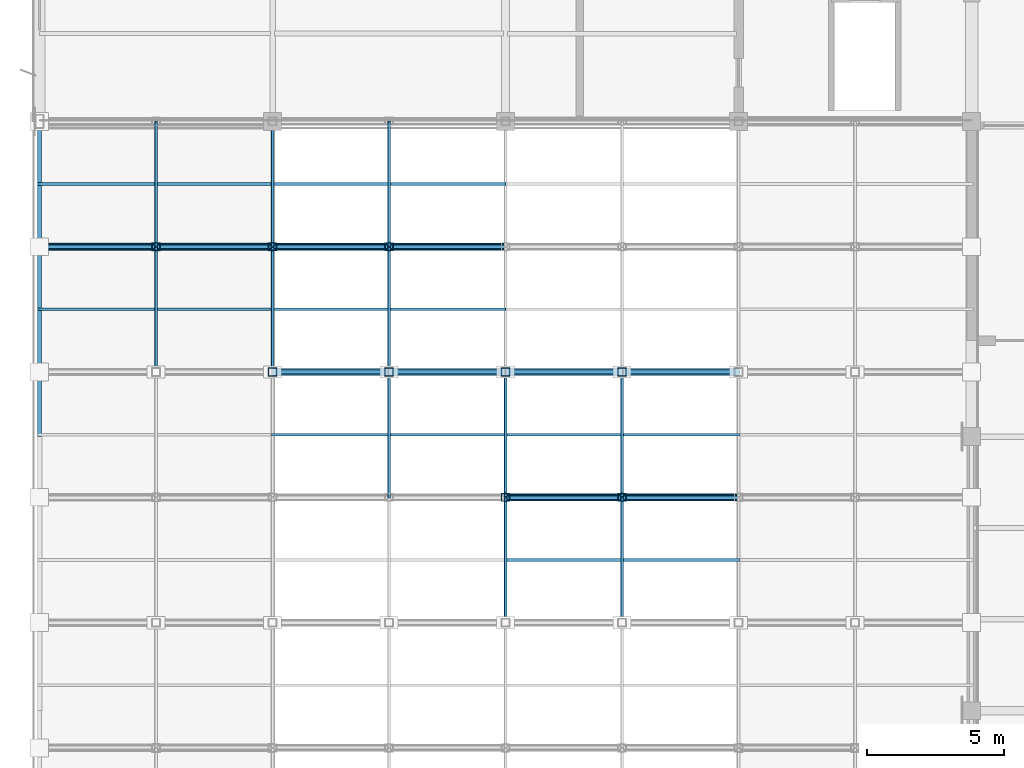
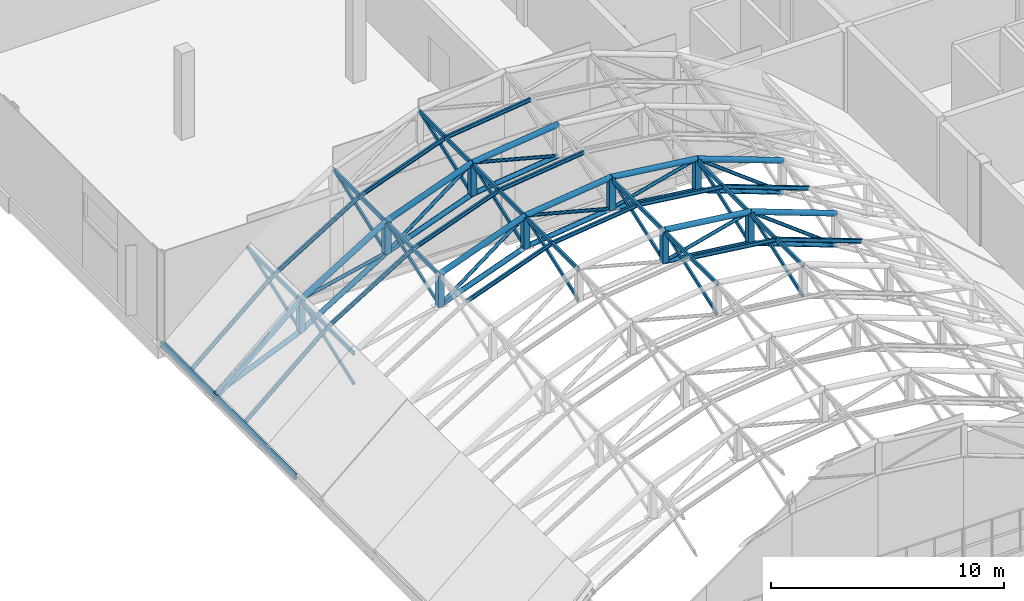
# One storey, part 15 of 86: 75 members, 1 beam.
"""IFC4 building model written with IfcOpenShell, lengths in metres."""

import ifcopenshell
import ifcopenshell.guid

model = None  # the IFC model being written
_history = None  # IfcOwnerHistory: only IFC2X3 demands one
_inside = {}  # id of a spatial element -> (the spatial element, [elements in it])
_under = {}  # id of a project, library or spatial element -> (it, [spatial elements below it])
_declared = {}  # id of a project -> (the project, [libraries it declares])
_typed = {}  # id of a type object -> (the type object, [elements of that type])
_made_of = {}  # id of a material, layer set ... -> (it, [elements and type objects made of it])


def new_model(schema):
    """Start an empty IFC model of exactly this schema.

    Asked for "IFC4X3", IfcOpenShell would pick the latest addendum, in which some entities
    have other attributes; the version numbers below select the first issue.
    IFC2X3 requires an IfcOwnerHistory on every rooted entity: one is made here for all.
    """
    global model, _history
    if schema == "IFC4X3":
        model = ifcopenshell.file(schema_version=(4, 3, 0, 0))
    else:
        model = ifcopenshell.file(schema=schema)
    _inside.clear()
    _under.clear()
    _declared.clear()
    _typed.clear()
    _made_of.clear()
    _history = None
    if model.schema == "IFC2X3":
        org = make("IfcOrganization", Name="unknown")
        user = make(
            "IfcPersonAndOrganization",
            ThePerson=make("IfcPerson", FamilyName="unknown"),
            TheOrganization=org,
        )
        app = make(
            "IfcApplication",
            ApplicationDeveloper=org,
            Version="unknown",
            ApplicationFullName="unknown",
            ApplicationIdentifier="unknown",
        )
        _history = make(
            "IfcOwnerHistory",
            OwningUser=user,
            OwningApplication=app,
            ChangeAction="ADDED",
            CreationDate=0,
        )
    return model


def make(cls, **values):
    """One entity of the class cls with the attributes given. An attribute that is None is left unset."""
    return model.create_entity(
        cls, **{name: value for name, value in values.items() if value is not None}
    )


def rooted(cls, **values):
    """An entity with a GlobalId (a new one), such as an element, a storey or a relation."""
    return make(cls, GlobalId=ifcopenshell.guid.new(), OwnerHistory=_history, **values)


def si_unit(unit_type, name, prefix=None):
    """IfcSIUnit, for example si_unit("LENGTHUNIT", "METRE", prefix="MILLI")."""
    return make("IfcSIUnit", UnitType=unit_type, Prefix=prefix, Name=name)


def assignment(units):
    """IfcUnitAssignment: the units of a project."""
    return None if units is None else make("IfcUnitAssignment", Units=units)


def point(xyz):
    """IfcCartesianPoint."""
    return None if xyz is None else make("IfcCartesianPoint", Coordinates=xyz)


def direction(xyz):
    """IfcDirection."""
    return None if xyz is None else make("IfcDirection", DirectionRatios=xyz)


def frame(location, z_axis=None, x_axis=None):
    """IfcAxis2Placement3D, a coordinate frame: its origin and axes. An axis left out is left unset."""
    return make(
        "IfcAxis2Placement3D",
        Location=point(location),
        Axis=direction(z_axis),
        RefDirection=direction(x_axis),
    )


def frame_2d(location, x_axis=None):
    """IfcAxis2Placement2D, a coordinate frame in the plane: its origin and x axis."""
    return make(
        "IfcAxis2Placement2D", Location=point(location), RefDirection=direction(x_axis)
    )


def origin():
    """The frame at (0, 0, 0) with its axes left unset."""
    return frame((0.0, 0.0, 0.0))


def origin_2d():
    """The frame at (0, 0) in the plane with its x axis left unset."""
    return frame_2d((0.0, 0.0))


def place(relative_to, where):
    """IfcLocalPlacement: puts the frame where relative to a parent placement (None: the world)."""
    return make(
        "IfcLocalPlacement", PlacementRelTo=relative_to, RelativePlacement=where
    )


def context(
    kind, dimensions, precision=None, world=None, true_north=None, identifier=None
):
    """IfcGeometricRepresentationContext, for example the 3D "Model" context."""
    return make(
        "IfcGeometricRepresentationContext",
        ContextIdentifier=identifier,
        ContextType=kind,
        CoordinateSpaceDimension=dimensions,
        Precision=precision,
        WorldCoordinateSystem=world,
        TrueNorth=true_north,
    )


def subcontext(parent, identifier, kind, view, scale=None):
    """IfcGeometricRepresentationSubContext, for example "Body" below "Model"."""
    return make(
        "IfcGeometricRepresentationSubContext",
        ContextIdentifier=identifier,
        ContextType=kind,
        ParentContext=parent,
        TargetScale=scale,
        TargetView=view,
    )


def project(units=None, contexts=None):
    """IfcProject with its units and contexts."""
    return rooted(
        "IfcProject",
        Name="project",
        RepresentationContexts=contexts,
        UnitsInContext=assignment(units),
    )


def spatial(cls, under=None, at=None, **own):
    """A site, building, storey or space (cls), placed at a placement, below another one or the project."""
    s = rooted(cls, ObjectPlacement=at, **own)
    if under is not None:
        _under.setdefault(under.id(), (under, []))[1].append(s)
    return s


def profile(cls, at=None, kind="AREA", **sizes):
    """A parametric profile (cls). Its sizes go by their IFC names, for example OverallWidth=200.0."""
    return make(cls, ProfileType=kind, Position=at, **sizes)


def hollow_rectangle(**sizes):
    """IfcRectangleHollowProfileDef."""
    return profile("IfcRectangleHollowProfileDef", **sizes)


def hollow_circle(**sizes):
    """IfcCircleHollowProfileDef."""
    return profile("IfcCircleHollowProfileDef", **sizes)


def i_section(**sizes):
    """IfcIShapeProfileDef."""
    return profile("IfcIShapeProfileDef", **sizes)


def extrude(swept, where, along, depth):
    """IfcExtrudedAreaSolid: the profile swept, set in the frame where, extruded along a direction by depth."""
    return make(
        "IfcExtrudedAreaSolid",
        SweptArea=swept,
        Position=where,
        ExtrudedDirection=direction(along),
        Depth=depth,
    )


def shape(context_of_items, identifier, shape_type, items):
    """IfcShapeRepresentation: the items that make up one representation, for example the "Body"."""
    return make(
        "IfcShapeRepresentation",
        ContextOfItems=context_of_items,
        RepresentationIdentifier=identifier,
        RepresentationType=shape_type,
        Items=items,
    )


def material(Name=None, Category=None):
    """IfcMaterial."""
    return make("IfcMaterial", Name=Name, Category=Category)


def material_profile(
    of_material, cross_section, Name=None, Category=None, Priority=None
):
    """IfcMaterialProfile: a cross section and its material."""
    return make(
        "IfcMaterialProfile",
        Name=Name,
        Material=of_material,
        Profile=cross_section,
        Priority=Priority,
        Category=Category,
    )


def profile_set(profiles, Name=None, composite=None):
    """IfcMaterialProfileSet."""
    return make(
        "IfcMaterialProfileSet",
        Name=Name,
        MaterialProfiles=profiles,
        CompositeProfile=composite,
    )


def made_of(thing, what):
    """Note that an element or type object is made of a material, layer set ...; save() writes the relation."""
    if what is not None:
        _made_of.setdefault(what.id(), (what, []))[1].append(thing)
    return thing


def type_object(cls, material=None, **own):
    """A type object (cls), such as IfcWallType, which elements share."""
    return made_of(rooted(cls, **own), material)


def element(
    cls,
    number,
    at=None,
    inside=None,
    cuts=None,
    type_object=None,
    material=None,
    context=None,
    identifier="Body",
    shape_type=None,
    held_by="IfcProductDefinitionShape",
    body=None,
    shapes=None,
    **own,
):
    """One element of the class cls, such as IfcWall. Its Tag is "e" and its number.

    at: its placement. inside: the storey or other place that contains it. cuts: it is an
    opening in that element (IfcRelVoidsElement). A single representation is given by context,
    identifier, shape_type and body (its items); several are given by shapes. held_by: the class
    of the entity that holds the representations. save() writes the other relations.
    """
    e = rooted(cls, Tag="e%d" % number, ObjectPlacement=at, **own)
    if body is not None:
        shapes = [shape(context, identifier, shape_type, body)]
    if shapes is not None:
        e.Representation = make(held_by, Representations=shapes)
    if inside is not None:
        _inside.setdefault(inside.id(), (inside, []))[1].append(e)
    if cuts is not None:
        rooted(
            "IfcRelVoidsElement", RelatingBuildingElement=cuts, RelatedOpeningElement=e
        )
    if type_object is not None:
        _typed.setdefault(type_object.id(), (type_object, []))[1].append(e)
    return made_of(e, material)


def aggregate(whole, parts):
    """IfcRelAggregates: a whole, such as a stair, and the parts it consists of."""
    return rooted("IfcRelAggregates", RelatingObject=whole, RelatedObjects=parts)


def save(model, path):
    """Write the relations noted so far, then the file.

    IfcRelAggregates (storeys below a building ...), IfcRelContainedInSpatialStructure (elements
    in a storey), IfcRelDefinesByType, IfcRelAssociatesMaterial and IfcRelDeclares: one each for
    every whole, place, type object, material and project.
    """
    for whole, parts in _under.values():
        aggregate(whole, parts)
    for where, things in _inside.values():
        rooted(
            "IfcRelContainedInSpatialStructure",
            RelatedElements=things,
            RelatingStructure=where,
        )
    for kind, things in _typed.values():
        rooted("IfcRelDefinesByType", RelatedObjects=things, RelatingType=kind)
    for what, things in _made_of.values():
        rooted("IfcRelAssociatesMaterial", RelatedObjects=things, RelatingMaterial=what)
    for by, libraries in _declared.values():
        rooted("IfcRelDeclares", RelatingContext=by, RelatedDefinitions=libraries)
    model.write(path)


model = new_model("IFC4")

# Units and contexts
model_context = context("Model", 3, precision=1e-05, world=origin(), true_north=direction((0.0, 1.0)))
body_context = subcontext(model_context, "Body", "Model", "MODEL_VIEW")
ifc_project = project(units=[si_unit("LENGTHUNIT", "METRE"), si_unit("AREAUNIT", "SQUARE_METRE"), si_unit("VOLUMEUNIT", "CUBIC_METRE"), si_unit("PLANEANGLEUNIT", "RADIAN"), si_unit("MASSUNIT", "GRAM", prefix="KILO")], contexts=[model_context])

# Site, building, storey
site_placement = place(None, origin())
site = spatial("IfcSite", under=ifc_project, at=site_placement, CompositionType="ELEMENT")
building_placement = place(site_placement, origin())
building = spatial("IfcBuilding", under=site, at=building_placement, Name="Solvikara Media Centre", CompositionType="ELEMENT")
storey_placement = place(building_placement, frame((0.0, 0.0, 15.0)))
storey = spatial("IfcBuildingStorey", under=building, at=storey_placement, Name="L03", CompositionType="ELEMENT", Elevation=15.0)

# Beam
ifc_material = material(Name="Steel S355JR", Category="steel")
ifc_material_profile_1 = material_profile(ifc_material, hollow_rectangle(XDim=0.139892578125, YDim=0.280029296875, WallThickness=0.008056640625, at=origin_2d()), Name="RHS 280x140x8")
ifc_profile_set_1 = profile_set([ifc_material_profile_1], Name="Steel S355JR")
beam_type = type_object("IfcBeamType", Name="BM-46", PredefinedType="SPANDREL", material=ifc_profile_set_1)
beam_placement = place(storey_placement, frame((0.0, 20.5, -0.239990234375), z_axis=(0.0, 1.0, 0.0), x_axis=(-1.0, 0.0, 0.0)))
element("IfcBeam", 1, at=beam_placement, inside=storey, type_object=beam_type, Name="B-L03-Y1224", PredefinedType="SPANDREL", context=body_context, shape_type="SweptSolid", body=[
    extrude(hollow_rectangle(XDim=0.139892578125, YDim=0.280029296875, WallThickness=0.008056640625, at=origin_2d()), origin(), (0.0, 0.0, 1.0), 11.5),
])

# Members
ifc_material_profile_2 = material_profile(ifc_material, hollow_circle(Radius=0.136474609375, WallThickness=0.010009765625, at=origin_2d()), Name="CHS 273x10")
ifc_profile_set_2 = profile_set([ifc_material_profile_2], Name="Steel S355JR")
member_type_1 = type_object("IfcMemberType", Name="MB-03", PredefinedType="CHORD", material=ifc_profile_set_2)
member_1_placement = place(storey_placement, frame((17.0, 18.285888671875, 8.10498046875), z_axis=(0.992459240716, 0.0, -0.122575101536), x_axis=(0.0, 1.0, 0.0)))
element("IfcMember", 2, at=member_1_placement, inside=storey, type_object=member_type_1, Name="Space Frame Vault Chord GC-TC-04-04", PredefinedType="CHORD", context=body_context, shape_type="SweptSolid", body=[
    extrude(hollow_circle(Radius=0.136474609375, WallThickness=0.010009765625, at=origin_2d()), origin(), (0.0, 0.0, 1.0), 4.2822265625),
])
for number, where, z_axis, x_axis, name in (
    (3, (21.25, 18.285888671875, 7.580078125), (0.937668166589, 0.0, -0.347531882516), (0.0, 1.0, 0.0), "Space Frame Vault Chord GC-TC-04-05"),
    (4, (8.5, 22.85693359375, 6.0048828125), (0.937668166589, 0.0, 0.347531882516), (0.0, 1.0, 0.0), "Space Frame Vault Chord GC-TC-05-02"),
):
    element("IfcMember", number, at=place(storey_placement, frame(where, z_axis=z_axis, x_axis=x_axis)), inside=storey, type_object=member_type_1, Name=name, PredefinedType="CHORD", context=body_context, shape_type="SweptSolid", body=[
        extrude(hollow_circle(Radius=0.136474609375, WallThickness=0.010009765625, at=origin_2d()), origin(), (0.0, 0.0, 1.0), 4.532470703125),
    ])
for number, where, z_axis, x_axis, name in (
    (5, (12.75, 22.85693359375, 7.580078125), (0.992459240716, 0.0, 0.122575101536), (0.0, 1.0, 0.0), "Space Frame Vault Chord GC-TC-05-03"),
    (6, (17.0, 22.85693359375, 8.10498046875), (0.992459240716, 0.0, -0.122575101536), (0.0, 1.0, 0.0), "Space Frame Vault Chord GC-TC-05-04"),
):
    element("IfcMember", number, at=place(storey_placement, frame(where, z_axis=z_axis, x_axis=x_axis)), inside=storey, type_object=member_type_1, Name=name, PredefinedType="CHORD", context=body_context, shape_type="SweptSolid", body=[
        extrude(hollow_circle(Radius=0.136474609375, WallThickness=0.010009765625, at=origin_2d()), origin(), (0.0, 0.0, 1.0), 4.2822265625),
    ])
member_2_placement = place(storey_placement, frame((21.25, 22.85693359375, 7.580078125), z_axis=(0.937668166589, 0.0, -0.347531882516), x_axis=(0.0, 1.0, 0.0)))
element("IfcMember", 7, at=member_2_placement, inside=storey, type_object=member_type_1, Name="Space Frame Vault Chord GC-TC-05-05", PredefinedType="CHORD", context=body_context, shape_type="SweptSolid", body=[
    extrude(hollow_circle(Radius=0.136474609375, WallThickness=0.010009765625, at=origin_2d()), origin(), (0.0, 0.0, 1.0), 4.532470703125),
])
member_3_placement = place(storey_placement, frame((0.0, 27.428955078125, -0.294921875), z_axis=(0.756439869263, 0.0, 0.654063241736), x_axis=(0.0, 1.0, 0.0)))
element("IfcMember", 8, at=member_3_placement, inside=storey, type_object=member_type_1, Name="Space Frame Vault Chord GC-TC-06-00", PredefinedType="CHORD", context=body_context, shape_type="SweptSolid", body=[
    extrude(hollow_circle(Radius=0.136474609375, WallThickness=0.010009765625, at=origin_2d()), origin(), (0.0, 0.0, 1.0), 5.618408203125),
])
member_4_placement = place(storey_placement, frame((4.25, 27.428955078125, 3.3798828125), z_axis=(0.850797997359, 0.0, 0.525492880722), x_axis=(0.0, 1.0, 0.0)))
element("IfcMember", 9, at=member_4_placement, inside=storey, type_object=member_type_1, Name="Space Frame Vault Chord GC-TC-06-01", PredefinedType="CHORD", context=body_context, shape_type="SweptSolid", body=[
    extrude(hollow_circle(Radius=0.136474609375, WallThickness=0.010009765625, at=origin_2d()), origin(), (0.0, 0.0, 1.0), 4.995361328125),
])
member_5_placement = place(storey_placement, frame((8.5, 27.428955078125, 6.0048828125), z_axis=(0.937668166589, 0.0, 0.347531882516), x_axis=(0.0, 1.0, 0.0)))
element("IfcMember", 10, at=member_5_placement, inside=storey, type_object=member_type_1, Name="Space Frame Vault Chord GC-TC-06-02", PredefinedType="CHORD", context=body_context, shape_type="SweptSolid", body=[
    extrude(hollow_circle(Radius=0.136474609375, WallThickness=0.010009765625, at=origin_2d()), origin(), (0.0, 0.0, 1.0), 4.532470703125),
])
member_6_placement = place(storey_placement, frame((12.75, 27.428955078125, 7.580078125), z_axis=(0.992459240716, 0.0, 0.122575101536), x_axis=(0.0, 1.0, 0.0)))
element("IfcMember", 11, at=member_6_placement, inside=storey, type_object=member_type_1, Name="Space Frame Vault Chord GC-TC-06-03", PredefinedType="CHORD", context=body_context, shape_type="SweptSolid", body=[
    extrude(hollow_circle(Radius=0.136474609375, WallThickness=0.010009765625, at=origin_2d()), origin(), (0.0, 0.0, 1.0), 4.2822265625),
])
ifc_material_profile_3 = material_profile(ifc_material, hollow_circle(Radius=0.122314453125, WallThickness=0.010009765625, at=origin_2d()), Name="CHS 244.5x10")
ifc_profile_set_3 = profile_set([ifc_material_profile_3], Name="Steel S355JR")
member_type_2 = type_object("IfcMemberType", Name="MB-04", PredefinedType="CHORD", material=ifc_profile_set_3)
member_7_placement = place(storey_placement, frame((17.0, 18.285888671875, 6.455078125), z_axis=(0.992452303661, 0.0, -0.122631256042), x_axis=(0.0, 1.0, 0.0)))
element("IfcMember", 12, at=member_7_placement, inside=storey, type_object=member_type_2, Name="GC-BC-04-04", PredefinedType="CHORD", context=body_context, shape_type="SweptSolid", body=[
    extrude(hollow_circle(Radius=0.122314453125, WallThickness=0.010009765625, at=origin_2d()), origin(), (0.0, 0.0, 1.0), 4.2822265625),
])
for number, where, z_axis, x_axis, name in (
    (13, (21.25, 18.285888671875, 5.929931640625), (0.93768571843, 0.0, -0.34748452261), (0.0, 1.0, 0.0), "GC-BC-04-05"),
    (14, (8.5, 22.85693359375, 4.35498046875), (0.93768571843, 0.0, 0.34748452261), (0.0, 1.0, 0.0), "GC-BC-05-02"),
):
    element("IfcMember", number, at=place(storey_placement, frame(where, z_axis=z_axis, x_axis=x_axis)), inside=storey, type_object=member_type_2, Name=name, PredefinedType="CHORD", context=body_context, shape_type="SweptSolid", body=[
        extrude(hollow_circle(Radius=0.122314453125, WallThickness=0.010009765625, at=origin_2d()), origin(), (0.0, 0.0, 1.0), 4.532470703125),
    ])
for number, where, z_axis, x_axis, name in (
    (15, (12.75, 22.85693359375, 5.929931640625), (0.992452303661, 0.0, 0.122631256042), (0.0, 1.0, 0.0), "GC-BC-05-03"),
    (16, (17.0, 22.85693359375, 6.455078125), (0.992452303661, 0.0, -0.122631256042), (0.0, 1.0, 0.0), "GC-BC-05-04"),
):
    element("IfcMember", number, at=place(storey_placement, frame(where, z_axis=z_axis, x_axis=x_axis)), inside=storey, type_object=member_type_2, Name=name, PredefinedType="CHORD", context=body_context, shape_type="SweptSolid", body=[
        extrude(hollow_circle(Radius=0.122314453125, WallThickness=0.010009765625, at=origin_2d()), origin(), (0.0, 0.0, 1.0), 4.2822265625),
    ])
member_8_placement = place(storey_placement, frame((21.25, 22.85693359375, 5.929931640625), z_axis=(0.93768571843, 0.0, -0.34748452261), x_axis=(0.0, 1.0, 0.0)))
element("IfcMember", 17, at=member_8_placement, inside=storey, type_object=member_type_2, Name="GC-BC-05-05", PredefinedType="CHORD", context=body_context, shape_type="SweptSolid", body=[
    extrude(hollow_circle(Radius=0.122314453125, WallThickness=0.010009765625, at=origin_2d()), origin(), (0.0, 0.0, 1.0), 4.532470703125),
])
member_9_placement = place(storey_placement, frame((0.0, 27.428955078125, -0.10009765625), z_axis=(0.918466874624, 0.0, 0.395497914303), x_axis=(0.0, 1.0, 0.0)))
element("IfcMember", 18, at=member_9_placement, inside=storey, type_object=member_type_2, Name="GC-BC-06-00", PredefinedType="CHORD", context=body_context, shape_type="SweptSolid", body=[
    extrude(hollow_circle(Radius=0.122314453125, WallThickness=0.010009765625, at=origin_2d()), origin(), (0.0, 0.0, 1.0), 4.627197265625),
])
member_10_placement = place(storey_placement, frame((4.25, 27.428955078125, 1.72998046875), z_axis=(0.850797997359, 0.0, 0.525492880722), x_axis=(0.0, 1.0, 0.0)))
element("IfcMember", 19, at=member_10_placement, inside=storey, type_object=member_type_2, Name="GC-BC-06-01", PredefinedType="CHORD", context=body_context, shape_type="SweptSolid", body=[
    extrude(hollow_circle(Radius=0.122314453125, WallThickness=0.010009765625, at=origin_2d()), origin(), (0.0, 0.0, 1.0), 4.995361328125),
])
member_11_placement = place(storey_placement, frame((8.5, 27.428955078125, 4.35498046875), z_axis=(0.93768571843, 0.0, 0.34748452261), x_axis=(0.0, 1.0, 0.0)))
element("IfcMember", 20, at=member_11_placement, inside=storey, type_object=member_type_2, Name="GC-BC-06-02", PredefinedType="CHORD", context=body_context, shape_type="SweptSolid", body=[
    extrude(hollow_circle(Radius=0.122314453125, WallThickness=0.010009765625, at=origin_2d()), origin(), (0.0, 0.0, 1.0), 4.532470703125),
])
member_12_placement = place(storey_placement, frame((12.75, 27.428955078125, 5.929931640625), z_axis=(0.992452303661, 0.0, 0.122631256042), x_axis=(0.0, 1.0, 0.0)))
element("IfcMember", 21, at=member_12_placement, inside=storey, type_object=member_type_2, Name="GC-BC-06-03", PredefinedType="CHORD", context=body_context, shape_type="SweptSolid", body=[
    extrude(hollow_circle(Radius=0.122314453125, WallThickness=0.010009765625, at=origin_2d()), origin(), (0.0, 0.0, 1.0), 4.2822265625),
])
ifc_material_profile_4 = material_profile(ifc_material, hollow_circle(Radius=0.084228515625, WallThickness=0.007080078125, at=origin_2d()), Name="CHS 168.3x7.1")
ifc_profile_set_4 = profile_set([ifc_material_profile_4], Name="Steel S355JR")
member_type_3 = type_object("IfcMemberType", Name="MB-07", PredefinedType="BRACE", material=ifc_profile_set_4)
member_13_placement = place(storey_placement, frame((17.0, 18.285888671875, 6.455078125), z_axis=(0.966705227862, 0.0, 0.255892560316), x_axis=(0.0, 1.0, 0.0)))
element("IfcMember", 22, at=member_13_placement, inside=storey, type_object=member_type_3, Name="GC-DG-04-04", PredefinedType="BRACE", context=body_context, shape_type="SweptSolid", body=[
    extrude(hollow_circle(Radius=0.084228515625, WallThickness=0.007080078125, at=origin_2d()), origin(), (0.0, 0.0, 1.0), 4.396484375),
])
for number, where, z_axis, x_axis, name in (
    (23, (21.25, 18.285888671875, 7.580078125), (0.796604645228, 0.0, -0.604500652772), (0.0, 1.0, 0.0), "GC-DG-04-05"),
    (24, (8.5, 22.85693359375, 4.35498046875), (0.796604645228, 0.0, 0.604500652772), (0.0, 1.0, 0.0), "GC-DG-05-02"),
):
    element("IfcMember", number, at=place(storey_placement, frame(where, z_axis=z_axis, x_axis=x_axis)), inside=storey, type_object=member_type_3, Name=name, PredefinedType="BRACE", context=body_context, shape_type="SweptSolid", body=[
        extrude(hollow_circle(Radius=0.084228515625, WallThickness=0.007080078125, at=origin_2d()), origin(), (0.0, 0.0, 1.0), 5.335205078125),
    ])
for number, where, z_axis, x_axis, name in (
    (25, (12.75, 22.85693359375, 7.580078125), (0.966705227862, 0.0, -0.255892560316), (0.0, 1.0, 0.0), "GC-DG-05-03"),
    (26, (17.0, 22.85693359375, 6.455078125), (0.966705227862, 0.0, 0.255892560316), (0.0, 1.0, 0.0), "GC-DG-05-04"),
):
    element("IfcMember", number, at=place(storey_placement, frame(where, z_axis=z_axis, x_axis=x_axis)), inside=storey, type_object=member_type_3, Name=name, PredefinedType="BRACE", context=body_context, shape_type="SweptSolid", body=[
        extrude(hollow_circle(Radius=0.084228515625, WallThickness=0.007080078125, at=origin_2d()), origin(), (0.0, 0.0, 1.0), 4.396484375),
    ])
member_14_placement = place(storey_placement, frame((21.25, 22.85693359375, 7.580078125), z_axis=(0.796604645228, 0.0, -0.604500652772), x_axis=(0.0, 1.0, 0.0)))
element("IfcMember", 27, at=member_14_placement, inside=storey, type_object=member_type_3, Name="GC-DG-05-05", PredefinedType="BRACE", context=body_context, shape_type="SweptSolid", body=[
    extrude(hollow_circle(Radius=0.084228515625, WallThickness=0.007080078125, at=origin_2d()), origin(), (0.0, 0.0, 1.0), 5.335205078125),
])
member_15_placement = place(storey_placement, frame((0.0, 27.428955078125, -0.10009765625), z_axis=(0.773715650361, 0.0, 0.633533023911), x_axis=(0.0, 1.0, 0.0)))
element("IfcMember", 28, at=member_15_placement, inside=storey, type_object=member_type_3, Name="GC-DG-06-00", PredefinedType="BRACE", context=body_context, shape_type="SweptSolid", body=[
    extrude(hollow_circle(Radius=0.084228515625, WallThickness=0.007080078125, at=origin_2d()), origin(), (0.0, 0.0, 1.0), 5.492919921875),
])
member_16_placement = place(storey_placement, frame((4.25, 27.428955078125, 3.3798828125), z_axis=(0.974675396372, 0.0, 0.223624398731), x_axis=(0.0, 1.0, 0.0)))
element("IfcMember", 29, at=member_16_placement, inside=storey, type_object=member_type_3, Name="GC-DG-06-01", PredefinedType="BRACE", context=body_context, shape_type="SweptSolid", body=[
    extrude(hollow_circle(Radius=0.084228515625, WallThickness=0.007080078125, at=origin_2d()), origin(), (0.0, 0.0, 1.0), 4.3603515625),
])
member_17_placement = place(storey_placement, frame((8.5, 27.428955078125, 4.35498046875), z_axis=(0.796604645228, 0.0, 0.604500652772), x_axis=(0.0, 1.0, 0.0)))
element("IfcMember", 30, at=member_17_placement, inside=storey, type_object=member_type_3, Name="GC-DG-06-02", PredefinedType="BRACE", context=body_context, shape_type="SweptSolid", body=[
    extrude(hollow_circle(Radius=0.084228515625, WallThickness=0.007080078125, at=origin_2d()), origin(), (0.0, 0.0, 1.0), 5.335205078125),
])
member_18_placement = place(storey_placement, frame((12.75, 27.428955078125, 7.580078125), z_axis=(0.966705227862, 0.0, -0.255892560316), x_axis=(0.0, 1.0, 0.0)))
element("IfcMember", 31, at=member_18_placement, inside=storey, type_object=member_type_3, Name="GC-DG-06-03", PredefinedType="BRACE", context=body_context, shape_type="SweptSolid", body=[
    extrude(hollow_circle(Radius=0.084228515625, WallThickness=0.007080078125, at=origin_2d()), origin(), (0.0, 0.0, 1.0), 4.396484375),
])
ifc_material_profile_5 = material_profile(ifc_material, hollow_rectangle(XDim=0.300048828125, YDim=0.300048828125, WallThickness=0.012451171875, at=origin_2d()), Name="RHS 300x300x12.5")
ifc_profile_set_5 = profile_set([ifc_material_profile_5], Name="Steel S355JR")
member_type_4 = type_object("IfcMemberType", Name="MB-11", PredefinedType="CHORD", material=ifc_profile_set_5)
member_19_placement = place(storey_placement, frame((17.0, 18.285888671875, 6.455078125), z_axis=(0.0, 0.0, 1.0), x_axis=(1.0, 0.0, 0.0)))
element("IfcMember", 32, at=member_19_placement, inside=storey, type_object=member_type_4, Name="GC-VT-04-04", PredefinedType="CHORD", context=body_context, shape_type="SweptSolid", body=[
    extrude(hollow_rectangle(XDim=0.300048828125, YDim=0.300048828125, WallThickness=0.012451171875, at=origin_2d()), origin(), (0.0, 0.0, 1.0), 1.64990234375),
])
member_20_placement = place(storey_placement, frame((21.25, 18.285888671875, 5.929931640625), z_axis=(0.0, 0.0, 1.0), x_axis=(1.0, 0.0, 0.0)))
element("IfcMember", 33, at=member_20_placement, inside=storey, type_object=member_type_4, Name="GC-VT-04-05", PredefinedType="CHORD", context=body_context, shape_type="SweptSolid", body=[
    extrude(hollow_rectangle(XDim=0.300048828125, YDim=0.300048828125, WallThickness=0.012451171875, at=origin_2d()), origin(), (0.0, 0.0, 1.0), 1.650146484375),
])
member_21_placement = place(storey_placement, frame((8.5, 22.85693359375, 4.35498046875), z_axis=(0.0, 0.0, 1.0), x_axis=(1.0, 0.0, 0.0)))
element("IfcMember", 34, at=member_21_placement, inside=storey, type_object=member_type_4, Name="GC-VT-05-02", PredefinedType="CHORD", context=body_context, shape_type="SweptSolid", body=[
    extrude(hollow_rectangle(XDim=0.300048828125, YDim=0.300048828125, WallThickness=0.012451171875, at=origin_2d()), origin(), (0.0, 0.0, 1.0), 1.64990234375),
])
member_22_placement = place(storey_placement, frame((12.75, 22.85693359375, 5.929931640625), z_axis=(0.0, 0.0, 1.0), x_axis=(1.0, 0.0, 0.0)))
element("IfcMember", 35, at=member_22_placement, inside=storey, type_object=member_type_4, Name="GC-VT-05-03", PredefinedType="CHORD", context=body_context, shape_type="SweptSolid", body=[
    extrude(hollow_rectangle(XDim=0.300048828125, YDim=0.300048828125, WallThickness=0.012451171875, at=origin_2d()), origin(), (0.0, 0.0, 1.0), 1.650146484375),
])
member_23_placement = place(storey_placement, frame((17.0, 22.85693359375, 6.455078125), z_axis=(0.0, 0.0, 1.0), x_axis=(1.0, 0.0, 0.0)))
element("IfcMember", 36, at=member_23_placement, inside=storey, type_object=member_type_4, Name="GC-VT-05-04", PredefinedType="CHORD", context=body_context, shape_type="SweptSolid", body=[
    extrude(hollow_rectangle(XDim=0.300048828125, YDim=0.300048828125, WallThickness=0.012451171875, at=origin_2d()), origin(), (0.0, 0.0, 1.0), 1.64990234375),
])
member_24_placement = place(storey_placement, frame((21.25, 22.85693359375, 5.929931640625), z_axis=(0.0, 0.0, 1.0), x_axis=(1.0, 0.0, 0.0)))
element("IfcMember", 37, at=member_24_placement, inside=storey, type_object=member_type_4, Name="GC-VT-05-05", PredefinedType="CHORD", context=body_context, shape_type="SweptSolid", body=[
    extrude(hollow_rectangle(XDim=0.300048828125, YDim=0.300048828125, WallThickness=0.012451171875, at=origin_2d()), origin(), (0.0, 0.0, 1.0), 1.650146484375),
])
for number, where, z_axis, x_axis, name in (
    (38, (4.25, 27.428955078125, 1.72998046875), (0.0, 0.0, 1.0), (1.0, 0.0, 0.0), "GC-VT-06-01"),
    (39, (8.5, 27.428955078125, 4.35498046875), (0.0, 0.0, 1.0), (1.0, 0.0, 0.0), "GC-VT-06-02"),
):
    element("IfcMember", number, at=place(storey_placement, frame(where, z_axis=z_axis, x_axis=x_axis)), inside=storey, type_object=member_type_4, Name=name, PredefinedType="CHORD", context=body_context, shape_type="SweptSolid", body=[
        extrude(hollow_rectangle(XDim=0.300048828125, YDim=0.300048828125, WallThickness=0.012451171875, at=origin_2d()), origin(), (0.0, 0.0, 1.0), 1.64990234375),
    ])
member_25_placement = place(storey_placement, frame((12.75, 27.428955078125, 5.929931640625), z_axis=(0.0, 0.0, 1.0), x_axis=(1.0, 0.0, 0.0)))
element("IfcMember", 40, at=member_25_placement, inside=storey, type_object=member_type_4, Name="GC-VT-06-03", PredefinedType="CHORD", context=body_context, shape_type="SweptSolid", body=[
    extrude(hollow_rectangle(XDim=0.300048828125, YDim=0.300048828125, WallThickness=0.012451171875, at=origin_2d()), origin(), (0.0, 0.0, 1.0), 1.650146484375),
])
ifc_material_profile_6 = material_profile(ifc_material, hollow_rectangle(XDim=0.10009765625, YDim=0.199951171875, WallThickness=0.00634765625, at=origin_2d()), Name="RHS 200x100x6.3")
ifc_profile_set_6 = profile_set([ifc_material_profile_6], Name="Steel S355JR")
member_type_5 = type_object("IfcMemberType", Name="MB-17", PredefinedType="PURLIN", material=ifc_profile_set_6)
for number, where, z_axis, x_axis, name in (
    (41, (17.0, 13.714111328125, 8.0400390625), (0.0, 1.0, 0.0), (-1.0, 0.0, 0.0), "GC-PRL-03-04"),
    (42, (21.25, 13.714111328125, 7.514892578125), (0.0, 1.0, 0.0), (-1.0, 0.0, 0.0), "GC-PRL-03-05"),
):
    element("IfcMember", number, at=place(storey_placement, frame(where, z_axis=z_axis, x_axis=x_axis)), inside=storey, type_object=member_type_5, Name=name, PredefinedType="PURLIN", context=body_context, shape_type="SweptSolid", body=[
        extrude(hollow_rectangle(XDim=0.10009765625, YDim=0.199951171875, WallThickness=0.00634765625, at=origin_2d()), origin(), (0.0, 0.0, 1.0), 4.57177734375),
    ])
for number, where, z_axis, x_axis, name in (
    (43, (12.75, 18.285888671875, 7.514892578125), (0.0, 1.0, 0.0), (-1.0, 0.0, 0.0), "GC-PRL-04-03"),
    (44, (17.0, 18.285888671875, 8.0400390625), (0.0, 1.0, 0.0), (-1.0, 0.0, 0.0), "GC-PRL-04-04"),
    (45, (21.25, 18.285888671875, 7.514892578125), (0.0, 1.0, 0.0), (-1.0, 0.0, 0.0), "GC-PRL-04-05"),
):
    element("IfcMember", number, at=place(storey_placement, frame(where, z_axis=z_axis, x_axis=x_axis)), inside=storey, type_object=member_type_5, Name=name, PredefinedType="PURLIN", context=body_context, shape_type="SweptSolid", body=[
        extrude(hollow_rectangle(XDim=0.10009765625, YDim=0.199951171875, WallThickness=0.00634765625, at=origin_2d()), origin(), (0.0, 0.0, 1.0), 4.571044921875),
    ])
for number, where, z_axis, x_axis, name in (
    (46, (4.25, 22.85693359375, 3.31494140625), (0.0, 1.0, 0.0), (-1.0, 0.0, 0.0), "GC-PRL-05-01"),
    (47, (8.5, 22.85693359375, 5.93994140625), (0.0, 1.0, 0.0), (-1.0, 0.0, 0.0), "GC-PRL-05-02"),
    (48, (12.75, 22.85693359375, 7.514892578125), (0.0, 1.0, 0.0), (-1.0, 0.0, 0.0), "GC-PRL-05-03"),
):
    element("IfcMember", number, at=place(storey_placement, frame(where, z_axis=z_axis, x_axis=x_axis)), inside=storey, type_object=member_type_5, Name=name, PredefinedType="PURLIN", context=body_context, shape_type="SweptSolid", body=[
        extrude(hollow_rectangle(XDim=0.10009765625, YDim=0.199951171875, WallThickness=0.00634765625, at=origin_2d()), origin(), (0.0, 0.0, 1.0), 4.572021484375),
    ])
for number, where, z_axis, x_axis, name in (
    (49, (4.25, 27.428955078125, 3.31494140625), (0.0, 1.0, 0.0), (-1.0, 0.0, 0.0), "GC-PRL-06-01"),
    (50, (8.5, 27.428955078125, 5.93994140625), (0.0, 1.0, 0.0), (-1.0, 0.0, 0.0), "GC-PRL-06-02"),
    (51, (12.75, 27.428955078125, 7.514892578125), (0.0, 1.0, 0.0), (-1.0, 0.0, 0.0), "GC-PRL-06-03"),
):
    element("IfcMember", number, at=place(storey_placement, frame(where, z_axis=z_axis, x_axis=x_axis)), inside=storey, type_object=member_type_5, Name=name, PredefinedType="PURLIN", context=body_context, shape_type="SweptSolid", body=[
        extrude(hollow_rectangle(XDim=0.10009765625, YDim=0.199951171875, WallThickness=0.00634765625, at=origin_2d()), origin(), (0.0, 0.0, 1.0), 4.571044921875),
    ])
ifc_material_profile_7 = material_profile(ifc_material, i_section(OverallWidth=0.10009765625, OverallDepth=0.199951171875, WebThickness=0.005615234375, FlangeThickness=0.008056640625, at=origin_2d()), Name="WF 200x100x5.5x8")
ifc_profile_set_7 = profile_set([ifc_material_profile_7], Name="Steel S355JR")
member_type_6 = type_object("IfcMemberType", Name="MB-21", PredefinedType="PURLIN", material=ifc_profile_set_7)
member_26_placement = place(storey_placement, frame((17.0, 16.0, 8.0400390625), z_axis=(0.992452303661, 0.0, -0.122631256042), x_axis=(0.0, 1.0, 0.0)))
element("IfcMember", 52, at=member_26_placement, inside=storey, type_object=member_type_6, Name="GC-SUB-03-04", PredefinedType="PURLIN", context=body_context, shape_type="SweptSolid", body=[
    extrude(i_section(OverallWidth=0.10009765625, OverallDepth=0.199951171875, WebThickness=0.005615234375, FlangeThickness=0.008056640625, at=origin_2d()), origin(), (0.0, 0.0, 1.0), 4.2822265625),
])
for number, where, z_axis, x_axis, name in (
    (53, (21.25, 16.0, 7.514892578125), (0.93768571843, 0.0, -0.34748452261), (0.0, 1.0, 0.0), "GC-SUB-03-05"),
    (54, (8.5, 20.572021484375, 5.93994140625), (0.93768571843, 0.0, 0.34748452261), (0.0, 1.0, 0.0), "GC-SUB-04-02"),
):
    element("IfcMember", number, at=place(storey_placement, frame(where, z_axis=z_axis, x_axis=x_axis)), inside=storey, type_object=member_type_6, Name=name, PredefinedType="PURLIN", context=body_context, shape_type="SweptSolid", body=[
        extrude(i_section(OverallWidth=0.10009765625, OverallDepth=0.199951171875, WebThickness=0.005615234375, FlangeThickness=0.008056640625, at=origin_2d()), origin(), (0.0, 0.0, 1.0), 4.532470703125),
    ])
for number, where, z_axis, x_axis, name in (
    (55, (12.75, 20.572021484375, 7.514892578125), (0.992452303661, 0.0, 0.122631256042), (0.0, 1.0, 0.0), "GC-SUB-04-03"),
    (56, (17.0, 20.572021484375, 8.0400390625), (0.992452303661, 0.0, -0.122631256042), (0.0, 1.0, 0.0), "GC-SUB-04-04"),
):
    element("IfcMember", number, at=place(storey_placement, frame(where, z_axis=z_axis, x_axis=x_axis)), inside=storey, type_object=member_type_6, Name=name, PredefinedType="PURLIN", context=body_context, shape_type="SweptSolid", body=[
        extrude(i_section(OverallWidth=0.10009765625, OverallDepth=0.199951171875, WebThickness=0.005615234375, FlangeThickness=0.008056640625, at=origin_2d()), origin(), (0.0, 0.0, 1.0), 4.2822265625),
    ])
member_27_placement = place(storey_placement, frame((21.25, 20.572021484375, 7.514892578125), z_axis=(0.93768571843, 0.0, -0.34748452261), x_axis=(0.0, 1.0, 0.0)))
element("IfcMember", 57, at=member_27_placement, inside=storey, type_object=member_type_6, Name="GC-SUB-04-05", PredefinedType="PURLIN", context=body_context, shape_type="SweptSolid", body=[
    extrude(i_section(OverallWidth=0.10009765625, OverallDepth=0.199951171875, WebThickness=0.005615234375, FlangeThickness=0.008056640625, at=origin_2d()), origin(), (0.0, 0.0, 1.0), 4.532470703125),
])
member_28_placement = place(storey_placement, frame((0.0, 25.14306640625, -0.360107421875), z_axis=(0.756418370394, 0.0, 0.654088104868), x_axis=(0.0, 1.0, 0.0)))
element("IfcMember", 58, at=member_28_placement, inside=storey, type_object=member_type_6, Name="GC-SUB-05-00", PredefinedType="PURLIN", context=body_context, shape_type="SweptSolid", body=[
    extrude(i_section(OverallWidth=0.10009765625, OverallDepth=0.199951171875, WebThickness=0.005615234375, FlangeThickness=0.008056640625, at=origin_2d()), origin(), (0.0, 0.0, 1.0), 5.61865234375),
])
member_29_placement = place(storey_placement, frame((4.25, 25.14306640625, 3.31494140625), z_axis=(0.850797997359, 0.0, 0.525492880722), x_axis=(0.0, 1.0, 0.0)))
element("IfcMember", 59, at=member_29_placement, inside=storey, type_object=member_type_6, Name="GC-SUB-05-01", PredefinedType="PURLIN", context=body_context, shape_type="SweptSolid", body=[
    extrude(i_section(OverallWidth=0.10009765625, OverallDepth=0.199951171875, WebThickness=0.005615234375, FlangeThickness=0.008056640625, at=origin_2d()), origin(), (0.0, 0.0, 1.0), 4.995361328125),
])
member_30_placement = place(storey_placement, frame((8.5, 25.14306640625, 5.93994140625), z_axis=(0.93768571843, 0.0, 0.34748452261), x_axis=(0.0, 1.0, 0.0)))
element("IfcMember", 60, at=member_30_placement, inside=storey, type_object=member_type_6, Name="GC-SUB-05-02", PredefinedType="PURLIN", context=body_context, shape_type="SweptSolid", body=[
    extrude(i_section(OverallWidth=0.10009765625, OverallDepth=0.199951171875, WebThickness=0.005615234375, FlangeThickness=0.008056640625, at=origin_2d()), origin(), (0.0, 0.0, 1.0), 4.532470703125),
])
member_31_placement = place(storey_placement, frame((12.75, 25.14306640625, 7.514892578125), z_axis=(0.992452303661, 0.0, 0.122631256042), x_axis=(0.0, 1.0, 0.0)))
element("IfcMember", 61, at=member_31_placement, inside=storey, type_object=member_type_6, Name="GC-SUB-05-03", PredefinedType="PURLIN", context=body_context, shape_type="SweptSolid", body=[
    extrude(i_section(OverallWidth=0.10009765625, OverallDepth=0.199951171875, WebThickness=0.005615234375, FlangeThickness=0.008056640625, at=origin_2d()), origin(), (0.0, 0.0, 1.0), 4.2822265625),
])
member_32_placement = place(storey_placement, frame((0.0, 29.715087890625, -0.360107421875), z_axis=(0.756418370394, 0.0, 0.654088104868), x_axis=(0.0, 1.0, 0.0)))
element("IfcMember", 62, at=member_32_placement, inside=storey, type_object=member_type_6, Name="GC-SUB-06-00", PredefinedType="PURLIN", context=body_context, shape_type="SweptSolid", body=[
    extrude(i_section(OverallWidth=0.10009765625, OverallDepth=0.199951171875, WebThickness=0.005615234375, FlangeThickness=0.008056640625, at=origin_2d()), origin(), (0.0, 0.0, 1.0), 5.61865234375),
])
member_33_placement = place(storey_placement, frame((4.25, 29.715087890625, 3.31494140625), z_axis=(0.850797997359, 0.0, 0.525492880722), x_axis=(0.0, 1.0, 0.0)))
element("IfcMember", 63, at=member_33_placement, inside=storey, type_object=member_type_6, Name="GC-SUB-06-01", PredefinedType="PURLIN", context=body_context, shape_type="SweptSolid", body=[
    extrude(i_section(OverallWidth=0.10009765625, OverallDepth=0.199951171875, WebThickness=0.005615234375, FlangeThickness=0.008056640625, at=origin_2d()), origin(), (0.0, 0.0, 1.0), 4.995361328125),
])
member_34_placement = place(storey_placement, frame((8.5, 29.715087890625, 5.93994140625), z_axis=(0.93768571843, 0.0, 0.34748452261), x_axis=(0.0, 1.0, 0.0)))
element("IfcMember", 64, at=member_34_placement, inside=storey, type_object=member_type_6, Name="GC-SUB-06-02", PredefinedType="PURLIN", context=body_context, shape_type="SweptSolid", body=[
    extrude(i_section(OverallWidth=0.10009765625, OverallDepth=0.199951171875, WebThickness=0.005615234375, FlangeThickness=0.008056640625, at=origin_2d()), origin(), (0.0, 0.0, 1.0), 4.532470703125),
])
member_35_placement = place(storey_placement, frame((12.75, 29.715087890625, 7.514892578125), z_axis=(0.992452303661, 0.0, 0.122631256042), x_axis=(0.0, 1.0, 0.0)))
element("IfcMember", 65, at=member_35_placement, inside=storey, type_object=member_type_6, Name="GC-SUB-06-03", PredefinedType="PURLIN", context=body_context, shape_type="SweptSolid", body=[
    extrude(i_section(OverallWidth=0.10009765625, OverallDepth=0.199951171875, WebThickness=0.005615234375, FlangeThickness=0.008056640625, at=origin_2d()), origin(), (0.0, 0.0, 1.0), 4.2822265625),
])
ifc_material_profile_8 = material_profile(ifc_material, hollow_rectangle(XDim=0.090087890625, YDim=0.169921875, WallThickness=0.0048828125, at=origin_2d()), Name="RHS 170x90x5")
ifc_profile_set_8 = profile_set([ifc_material_profile_8], Name="Steel S355JR")
member_type_7 = type_object("IfcMemberType", Name="MB-26", PredefinedType="PURLIN", material=ifc_profile_set_8)
for number, where, z_axis, x_axis, name in (
    (66, (17.0, 13.714111328125, 6.455078125), (0.0, 0.94062074149, 0.339459306365), (-1.0, 0.0, 0.0), "GC-3D-03-04"),
    (67, (21.25, 13.714111328125, 5.929931640625), (0.0, 0.940604701917, 0.339503747744), (-1.0, 0.0, 0.0), "GC-3D-03-05"),
):
    element("IfcMember", number, at=place(storey_placement, frame(where, z_axis=z_axis, x_axis=x_axis)), inside=storey, type_object=member_type_7, Name=name, PredefinedType="PURLIN", context=body_context, shape_type="SweptSolid", body=[
        extrude(hollow_rectangle(XDim=0.090087890625, YDim=0.169921875, WallThickness=0.0048828125, at=origin_2d()), origin(), (0.0, 0.0, 1.0), 4.8603515625),
    ])
member_36_placement = place(storey_placement, frame((12.75, 18.285888671875, 5.929931640625), z_axis=(0.0, 0.940587329315, 0.339551875172), x_axis=(-1.0, 0.0, 0.0)))
element("IfcMember", 68, at=member_36_placement, inside=storey, type_object=member_type_7, Name="GC-3D-04-03", PredefinedType="PURLIN", context=body_context, shape_type="SweptSolid", body=[
    extrude(hollow_rectangle(XDim=0.090087890625, YDim=0.169921875, WallThickness=0.0048828125, at=origin_2d()), origin(), (0.0, 0.0, 1.0), 4.85986328125),
])
member_37_placement = place(storey_placement, frame((17.0, 18.285888671875, 6.455078125), z_axis=(0.0, 0.94060337314, 0.339507429134), x_axis=(-1.0, 0.0, 0.0)))
element("IfcMember", 69, at=member_37_placement, inside=storey, type_object=member_type_7, Name="GC-3D-04-04", PredefinedType="PURLIN", context=body_context, shape_type="SweptSolid", body=[
    extrude(hollow_rectangle(XDim=0.090087890625, YDim=0.169921875, WallThickness=0.0048828125, at=origin_2d()), origin(), (0.0, 0.0, 1.0), 4.859619140625),
])
member_38_placement = place(storey_placement, frame((21.25, 18.285888671875, 5.929931640625), z_axis=(0.0, 0.940587329315, 0.339551875172), x_axis=(-1.0, 0.0, 0.0)))
element("IfcMember", 70, at=member_38_placement, inside=storey, type_object=member_type_7, Name="GC-3D-04-05", PredefinedType="PURLIN", context=body_context, shape_type="SweptSolid", body=[
    extrude(hollow_rectangle(XDim=0.090087890625, YDim=0.169921875, WallThickness=0.0048828125, at=origin_2d()), origin(), (0.0, 0.0, 1.0), 4.85986328125),
])
for number, where, z_axis, x_axis, name in (
    (71, (4.25, 22.85693359375, 1.72998046875), (0.0, 0.9406265293, 0.339443268276), (-1.0, 0.0, 0.0), "GC-3D-05-01"),
    (72, (8.5, 22.85693359375, 4.35498046875), (0.0, 0.9406265293, 0.339443268276), (-1.0, 0.0, 0.0), "GC-3D-05-02"),
    (73, (12.75, 22.85693359375, 5.929931640625), (0.0, 0.940610491143, 0.339487708102), (-1.0, 0.0, 0.0), "GC-3D-05-03"),
):
    element("IfcMember", number, at=place(storey_placement, frame(where, z_axis=z_axis, x_axis=x_axis)), inside=storey, type_object=member_type_7, Name=name, PredefinedType="PURLIN", context=body_context, shape_type="SweptSolid", body=[
        extrude(hollow_rectangle(XDim=0.090087890625, YDim=0.169921875, WallThickness=0.0048828125, at=origin_2d()), origin(), (0.0, 0.0, 1.0), 4.860595703125),
    ])
for number, where, z_axis, x_axis, name in (
    (74, (4.25, 27.428955078125, 1.72998046875), (0.0, 0.94060337314, 0.339507429134), (-1.0, 0.0, 0.0), "GC-3D-06-01"),
    (75, (8.5, 27.428955078125, 4.35498046875), (0.0, 0.94060337314, 0.339507429134), (-1.0, 0.0, 0.0), "GC-3D-06-02"),
):
    element("IfcMember", number, at=place(storey_placement, frame(where, z_axis=z_axis, x_axis=x_axis)), inside=storey, type_object=member_type_7, Name=name, PredefinedType="PURLIN", context=body_context, shape_type="SweptSolid", body=[
        extrude(hollow_rectangle(XDim=0.090087890625, YDim=0.169921875, WallThickness=0.0048828125, at=origin_2d()), origin(), (0.0, 0.0, 1.0), 4.859619140625),
    ])
member_39_placement = place(storey_placement, frame((12.75, 27.428955078125, 5.929931640625), z_axis=(0.0, 0.940587329315, 0.339551875172), x_axis=(-1.0, 0.0, 0.0)))
element("IfcMember", 76, at=member_39_placement, inside=storey, type_object=member_type_7, Name="GC-3D-06-03", PredefinedType="PURLIN", context=body_context, shape_type="SweptSolid", body=[
    extrude(hollow_rectangle(XDim=0.090087890625, YDim=0.169921875, WallThickness=0.0048828125, at=origin_2d()), origin(), (0.0, 0.0, 1.0), 4.85986328125),
])

save(model, "model.ifc")
